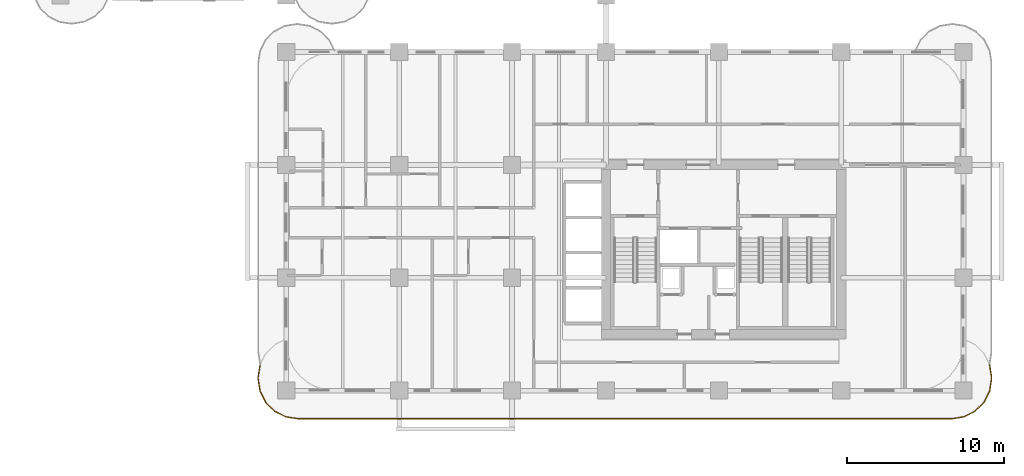
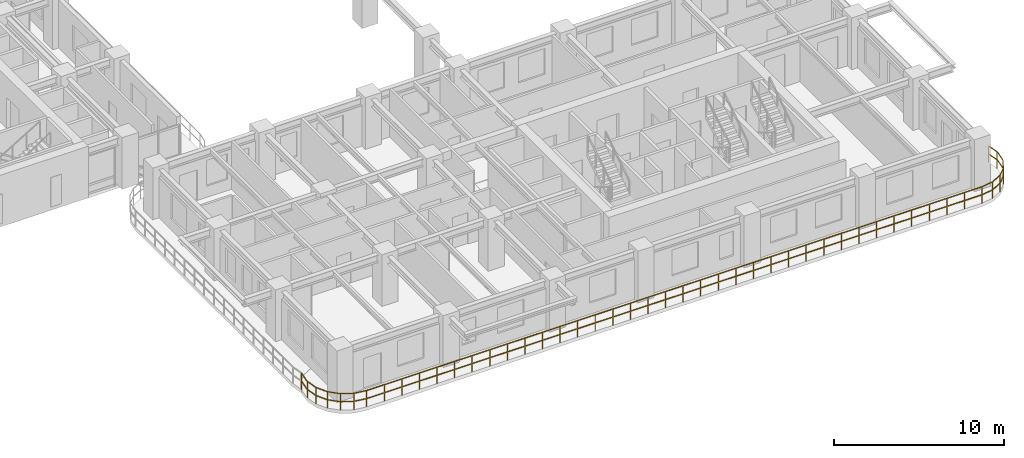
# One storey, part 14 of 19: 1 railing.
"""IFC4 building model written with IfcOpenShell, lengths in metres."""

from ifc_helpers import new_model, si_unit, derived_unit, direction, frame, origin, origin_2d, place, context, subcontext, project, spatial, rectangle, extrude, material, type_object, element, save


model = new_model("IFC4")

# Units and contexts
model_context = context("Model", 3, precision=1e-05, world=origin(), true_north=direction((0.0, 1.0)))
body_context = subcontext(model_context, "Body", "Model", "MODEL_VIEW")
ifc_project = project(units=[si_unit("LENGTHUNIT", "METRE"), si_unit("AREAUNIT", "SQUARE_METRE"), si_unit("VOLUMEUNIT", "CUBIC_METRE"), si_unit("PLANEANGLEUNIT", "RADIAN"), si_unit("MASSUNIT", "GRAM", prefix="KILO"), si_unit("THERMODYNAMICTEMPERATUREUNIT", "KELVIN"), si_unit("POWERUNIT", "WATT"), derived_unit("THERMALTRANSMITTANCEUNIT", [(si_unit("POWERUNIT", "WATT"), 1), (si_unit("AREAUNIT", "SQUARE_METRE"), -1), (si_unit("THERMODYNAMICTEMPERATUREUNIT", "KELVIN"), -1)])], contexts=[model_context])

# Site, building, storey
site_placement = place(None, origin())
site = spatial("IfcSite", under=ifc_project, at=site_placement, CompositionType="ELEMENT")
building_placement = place(site_placement, origin())
building = spatial("IfcBuilding", under=site, at=building_placement, Name="Zahravan Archway Hotel and Residences", CompositionType="ELEMENT")
storey_placement = place(building_placement, frame((0.0, 0.0, 43.5)))
storey = spatial("IfcBuildingStorey", under=building, at=storey_placement, Name="L09", CompositionType="ELEMENT", Elevation=43.5)

# Railing
ifc_material = material(Name="Bronze & Laminated Glass Balustrade", Category="glass")
railing_type = type_object("IfcRailingType", Name="RL-BAL-1200", PredefinedType="BALUSTRADE", material=ifc_material)
railing_placement = place(storey_placement, frame((59.275146484375, 1.637939453125, 0.0)))
element("IfcRailing", 1, at=railing_placement, inside=storey, type_object=railing_type, Name="L09 Balustrade RL-SLB-BAL-L09-SA-1", PredefinedType="BALUSTRADE", context=body_context, shape_type="SweptSolid", body=[
    extrude(rectangle(XDim=0.048095703125, YDim=0.048095703125, at=origin_2d()), frame((0.0, 0.0, 1.17578125), z_axis=(0.156402639467, -0.987693380745, 0.0), x_axis=(0.987693380745, 0.156402639467, 0.0)), (0.0, 0.0, 1.0), 0.797607421875),
    extrude(rectangle(XDim=0.048095703125, YDim=0.048095703125, at=origin_2d()), frame((0.0, 0.0, 0.60009765625), z_axis=(0.156402639467, -0.987693380745, 0.0), x_axis=(0.987693380745, 0.156402639467, 0.0)), (0.0, 0.0, 1.0), 0.797607421875),
    extrude(rectangle(XDim=0.048095703125, YDim=0.048095703125, at=origin_2d()), frame((0.124755859375, -0.787841796875, 1.17578125), z_axis=(0.0, -1.0, 0.0), x_axis=(1.0, 0.0, 0.0)), (0.0, 0.0, 1.0), 0.10009765625),
    extrude(rectangle(XDim=0.048095703125, YDim=0.048095703125, at=origin_2d()), frame((0.124755859375, -0.787841796875, 0.60009765625), z_axis=(0.0, -1.0, 0.0), x_axis=(1.0, 0.0, 0.0)), (0.0, 0.0, 1.0), 0.10009765625),
    extrude(rectangle(XDim=0.048095703125, YDim=0.048095703125, at=origin_2d()), frame((0.124755859375, -0.887939453125, 1.17578125), z_axis=(-0.156355372278, -0.987700864412, 0.0), x_axis=(0.987700864412, -0.156355372278, 0.0)), (0.0, 0.0, 1.0), 0.7978515625),
    extrude(rectangle(XDim=0.048095703125, YDim=0.048095703125, at=origin_2d()), frame((0.124755859375, -0.887939453125, 0.60009765625), z_axis=(-0.156355372278, -0.987700864412, 0.0), x_axis=(0.987700864412, -0.156355372278, 0.0)), (0.0, 0.0, 1.0), 0.7978515625),
    extrude(rectangle(XDim=0.048095703125, YDim=0.048095703125, at=origin_2d()), frame((0.0, -1.676025390625, 1.17578125), z_axis=(-0.453934952053, -0.891034824967, 0.0), x_axis=(0.891034824967, -0.453934952053, 0.0)), (0.0, 0.0, 1.0), 0.797607421875),
    extrude(rectangle(XDim=0.048095703125, YDim=0.048095703125, at=origin_2d()), frame((0.0, -1.676025390625, 0.60009765625), z_axis=(-0.453934952053, -0.891034824967, 0.0), x_axis=(0.891034824967, -0.453934952053, 0.0)), (0.0, 0.0, 1.0), 0.797607421875),
    extrude(rectangle(XDim=0.048095703125, YDim=0.048095703125, at=origin_2d()), frame((-0.362060546875, -2.38671875, 1.17578125), z_axis=(-0.707106781187, -0.707106781187, 0.0), x_axis=(0.707106781187, -0.707106781187, 0.0)), (0.0, 0.0, 1.0), 0.7978515625),
    extrude(rectangle(XDim=0.048095703125, YDim=0.048095703125, at=origin_2d()), frame((-0.362060546875, -2.38671875, 0.60009765625), z_axis=(-0.707106781187, -0.707106781187, 0.0), x_axis=(0.707106781187, -0.707106781187, 0.0)), (0.0, 0.0, 1.0), 0.7978515625),
    extrude(rectangle(XDim=0.048095703125, YDim=0.048095703125, at=origin_2d()), frame((-0.92626953125, -2.950927734375, 1.17578125), z_axis=(-0.890974108706, -0.454054113091, 0.0), x_axis=(0.454054113091, -0.890974108706, 0.0)), (0.0, 0.0, 1.0), 0.7978515625),
    extrude(rectangle(XDim=0.048095703125, YDim=0.048095703125, at=origin_2d()), frame((-0.92626953125, -2.950927734375, 0.60009765625), z_axis=(-0.890974108706, -0.454054113091, 0.0), x_axis=(0.454054113091, -0.890974108706, 0.0)), (0.0, 0.0, 1.0), 0.7978515625),
    extrude(rectangle(XDim=0.048095703125, YDim=0.048095703125, at=origin_2d()), frame((-1.63720703125, -3.313232421875, 1.17578125), z_axis=(-0.987693380745, -0.156402639467, 0.0), x_axis=(0.156402639467, -0.987693380745, 0.0)), (0.0, 0.0, 1.0), 0.797607421875),
    extrude(rectangle(XDim=0.048095703125, YDim=0.048095703125, at=origin_2d()), frame((-1.63720703125, -3.313232421875, 0.60009765625), z_axis=(-0.987693380745, -0.156402639467, 0.0), x_axis=(0.156402639467, -0.987693380745, 0.0)), (0.0, 0.0, 1.0), 0.797607421875),
    extrude(rectangle(XDim=0.048095703125, YDim=0.048095703125, at=origin_2d()), frame((-2.425048828125, -3.43798828125, 1.17578125), z_axis=(-1.0, 0.0, 0.0), x_axis=(0.0, -1.0, 0.0)), (0.0, 0.0, 1.0), 41.7001953125),
    extrude(rectangle(XDim=0.048095703125, YDim=0.048095703125, at=origin_2d()), frame((-2.425048828125, -3.43798828125, 0.60009765625), z_axis=(-1.0, 0.0, 0.0), x_axis=(0.0, -1.0, 0.0)), (0.0, 0.0, 1.0), 41.7001953125),
    extrude(rectangle(XDim=0.048095703125, YDim=0.048095703125, at=origin_2d()), frame((-44.125244140625, -3.43798828125, 1.17578125), z_axis=(-0.987693380745, 0.156402639467, 0.0), x_axis=(-0.156402639467, -0.987693380745, 0.0)), (0.0, 0.0, 1.0), 0.797607421875),
    extrude(rectangle(XDim=0.048095703125, YDim=0.048095703125, at=origin_2d()), frame((-44.125244140625, -3.43798828125, 0.60009765625), z_axis=(-0.987693380745, 0.156402639467, 0.0), x_axis=(-0.156402639467, -0.987693380745, 0.0)), (0.0, 0.0, 1.0), 0.797607421875),
    extrude(rectangle(XDim=0.048095703125, YDim=0.048095703125, at=origin_2d()), frame((-44.9130859375, -3.313232421875, 1.17578125), z_axis=(-0.890974108706, 0.454054113091, 0.0), x_axis=(-0.454054113091, -0.890974108706, 0.0)), (0.0, 0.0, 1.0), 0.7978515625),
    extrude(rectangle(XDim=0.048095703125, YDim=0.048095703125, at=origin_2d()), frame((-44.9130859375, -3.313232421875, 0.60009765625), z_axis=(-0.890974108706, 0.454054113091, 0.0), x_axis=(-0.454054113091, -0.890974108706, 0.0)), (0.0, 0.0, 1.0), 0.7978515625),
    extrude(rectangle(XDim=0.048095703125, YDim=0.048095703125, at=origin_2d()), frame((-45.6240234375, -2.950927734375, 1.17578125), z_axis=(-0.707106781187, 0.707106781187, 0.0), x_axis=(-0.707106781187, -0.707106781187, 0.0)), (0.0, 0.0, 1.0), 0.7978515625),
    extrude(rectangle(XDim=0.048095703125, YDim=0.048095703125, at=origin_2d()), frame((-45.6240234375, -2.950927734375, 0.60009765625), z_axis=(-0.707106781187, 0.707106781187, 0.0), x_axis=(-0.707106781187, -0.707106781187, 0.0)), (0.0, 0.0, 1.0), 0.7978515625),
    extrude(rectangle(XDim=0.048095703125, YDim=0.048095703125, at=origin_2d()), frame((-46.188232421875, -2.38671875, 1.17578125), z_axis=(-0.453934952053, 0.891034824967, 0.0), x_axis=(-0.891034824967, -0.453934952053, 0.0)), (0.0, 0.0, 1.0), 0.797607421875),
    extrude(rectangle(XDim=0.048095703125, YDim=0.048095703125, at=origin_2d()), frame((-46.188232421875, -2.38671875, 0.60009765625), z_axis=(-0.453934952053, 0.891034824967, 0.0), x_axis=(-0.891034824967, -0.453934952053, 0.0)), (0.0, 0.0, 1.0), 0.797607421875),
    extrude(rectangle(XDim=0.048095703125, YDim=0.048095703125, at=origin_2d()), frame((-46.55029296875, -1.676025390625, 1.17578125), z_axis=(-0.156355372278, 0.987700864412, 0.0), x_axis=(-0.987700864412, -0.156355372278, 0.0)), (0.0, 0.0, 1.0), 0.7978515625),
    extrude(rectangle(XDim=0.048095703125, YDim=0.048095703125, at=origin_2d()), frame((-46.55029296875, -1.676025390625, 0.60009765625), z_axis=(-0.156355372278, 0.987700864412, 0.0), x_axis=(-0.987700864412, -0.156355372278, 0.0)), (0.0, 0.0, 1.0), 0.7978515625),
    extrude(rectangle(XDim=0.048095703125, YDim=0.048095703125, at=origin_2d()), frame((-46.675048828125, -0.887939453125, 1.17578125), z_axis=(0.0, 1.0, 0.0), x_axis=(-1.0, 0.0, 0.0)), (0.0, 0.0, 1.0), 0.10009765625),
    extrude(rectangle(XDim=0.048095703125, YDim=0.048095703125, at=origin_2d()), frame((-46.675048828125, -0.887939453125, 0.60009765625), z_axis=(0.0, 1.0, 0.0), x_axis=(-1.0, 0.0, 0.0)), (0.0, 0.0, 1.0), 0.10009765625),
    extrude(rectangle(XDim=0.048095703125, YDim=0.048095703125, at=origin_2d()), frame((-46.675048828125, -0.787841796875, 1.17578125), z_axis=(0.156402639467, 0.987693380745, 0.0), x_axis=(-0.987693380745, 0.156402639467, 0.0)), (0.0, 0.0, 1.0), 0.797607421875),
    extrude(rectangle(XDim=0.048095703125, YDim=0.048095703125, at=origin_2d()), frame((-46.675048828125, -0.787841796875, 0.60009765625), z_axis=(0.156402639467, 0.987693380745, 0.0), x_axis=(-0.987693380745, 0.156402639467, 0.0)), (0.0, 0.0, 1.0), 0.797607421875),
    extrude(rectangle(XDim=0.0419921875, YDim=0.0419921875, at=origin_2d()), origin(), (0.0, 0.0, 1.0), 1.15185546875),
    extrude(rectangle(XDim=0.0419921875, YDim=0.0419921875, at=origin_2d()), frame((0.124755859375, -0.787841796875, 0.0)), (0.0, 0.0, 1.0), 1.15185546875),
    extrude(rectangle(XDim=0.0419921875, YDim=0.0419921875, at=origin_2d()), frame((0.0, -1.676025390625, 0.0)), (0.0, 0.0, 1.0), 1.15185546875),
    extrude(rectangle(XDim=0.0419921875, YDim=0.0419921875, at=origin_2d()), frame((-0.362060546875, -2.38671875, 0.0)), (0.0, 0.0, 1.0), 1.15185546875),
    extrude(rectangle(XDim=0.0419921875, YDim=0.0419921875, at=origin_2d()), frame((-0.92626953125, -2.950927734375, 0.0)), (0.0, 0.0, 1.0), 1.15185546875),
    extrude(rectangle(XDim=0.0419921875, YDim=0.0419921875, at=origin_2d()), frame((-1.63720703125, -3.313232421875, 0.0)), (0.0, 0.0, 1.0), 1.15185546875),
    extrude(rectangle(XDim=0.0419921875, YDim=0.0419921875, at=origin_2d()), frame((-2.425048828125, -3.43798828125, 0.0)), (0.0, 0.0, 1.0), 1.15185546875),
    extrude(rectangle(XDim=0.0419921875, YDim=0.0419921875, at=origin_2d()), frame((-3.616455078125, -3.43798828125, 0.0)), (0.0, 0.0, 1.0), 1.15185546875),
    extrude(rectangle(XDim=0.0419921875, YDim=0.0419921875, at=origin_2d()), frame((-4.807861328125, -3.43798828125, 0.0)), (0.0, 0.0, 1.0), 1.15185546875),
    extrude(rectangle(XDim=0.0419921875, YDim=0.0419921875, at=origin_2d()), frame((-5.999267578125, -3.43798828125, 0.0)), (0.0, 0.0, 1.0), 1.15185546875),
    extrude(rectangle(XDim=0.0419921875, YDim=0.0419921875, at=origin_2d()), frame((-7.190673828125, -3.43798828125, 0.0)), (0.0, 0.0, 1.0), 1.15185546875),
    extrude(rectangle(XDim=0.0419921875, YDim=0.0419921875, at=origin_2d()), frame((-8.38232421875, -3.43798828125, 0.0)), (0.0, 0.0, 1.0), 1.15185546875),
    extrude(rectangle(XDim=0.0419921875, YDim=0.0419921875, at=origin_2d()), frame((-9.57373046875, -3.43798828125, 0.0)), (0.0, 0.0, 1.0), 1.15185546875),
    extrude(rectangle(XDim=0.0419921875, YDim=0.0419921875, at=origin_2d()), frame((-10.76513671875, -3.43798828125, 0.0)), (0.0, 0.0, 1.0), 1.15185546875),
    extrude(rectangle(XDim=0.0419921875, YDim=0.0419921875, at=origin_2d()), frame((-11.95654296875, -3.43798828125, 0.0)), (0.0, 0.0, 1.0), 1.15185546875),
    extrude(rectangle(XDim=0.0419921875, YDim=0.0419921875, at=origin_2d()), frame((-13.14794921875, -3.43798828125, 0.0)), (0.0, 0.0, 1.0), 1.15185546875),
    extrude(rectangle(XDim=0.0419921875, YDim=0.0419921875, at=origin_2d()), frame((-14.33935546875, -3.43798828125, 0.0)), (0.0, 0.0, 1.0), 1.15185546875),
    extrude(rectangle(XDim=0.0419921875, YDim=0.0419921875, at=origin_2d()), frame((-15.53076171875, -3.43798828125, 0.0)), (0.0, 0.0, 1.0), 1.15185546875),
    extrude(rectangle(XDim=0.0419921875, YDim=0.0419921875, at=origin_2d()), frame((-16.72216796875, -3.43798828125, 0.0)), (0.0, 0.0, 1.0), 1.15185546875),
    extrude(rectangle(XDim=0.0419921875, YDim=0.0419921875, at=origin_2d()), frame((-17.91357421875, -3.43798828125, 0.0)), (0.0, 0.0, 1.0), 1.15185546875),
    extrude(rectangle(XDim=0.0419921875, YDim=0.0419921875, at=origin_2d()), frame((-19.105224609375, -3.43798828125, 0.0)), (0.0, 0.0, 1.0), 1.15185546875),
    extrude(rectangle(XDim=0.0419921875, YDim=0.0419921875, at=origin_2d()), frame((-20.296630859375, -3.43798828125, 0.0)), (0.0, 0.0, 1.0), 1.15185546875),
    extrude(rectangle(XDim=0.0419921875, YDim=0.0419921875, at=origin_2d()), frame((-21.488037109375, -3.43798828125, 0.0)), (0.0, 0.0, 1.0), 1.15185546875),
    extrude(rectangle(XDim=0.0419921875, YDim=0.0419921875, at=origin_2d()), frame((-22.679443359375, -3.43798828125, 0.0)), (0.0, 0.0, 1.0), 1.15185546875),
    extrude(rectangle(XDim=0.0419921875, YDim=0.0419921875, at=origin_2d()), frame((-23.870849609375, -3.43798828125, 0.0)), (0.0, 0.0, 1.0), 1.15185546875),
    extrude(rectangle(XDim=0.0419921875, YDim=0.0419921875, at=origin_2d()), frame((-25.062255859375, -3.43798828125, 0.0)), (0.0, 0.0, 1.0), 1.15185546875),
    extrude(rectangle(XDim=0.0419921875, YDim=0.0419921875, at=origin_2d()), frame((-26.253662109375, -3.43798828125, 0.0)), (0.0, 0.0, 1.0), 1.15185546875),
    extrude(rectangle(XDim=0.0419921875, YDim=0.0419921875, at=origin_2d()), frame((-27.445068359375, -3.43798828125, 0.0)), (0.0, 0.0, 1.0), 1.15185546875),
    extrude(rectangle(XDim=0.0419921875, YDim=0.0419921875, at=origin_2d()), frame((-28.63671875, -3.43798828125, 0.0)), (0.0, 0.0, 1.0), 1.15185546875),
    extrude(rectangle(XDim=0.0419921875, YDim=0.0419921875, at=origin_2d()), frame((-29.828125, -3.43798828125, 0.0)), (0.0, 0.0, 1.0), 1.15185546875),
    extrude(rectangle(XDim=0.0419921875, YDim=0.0419921875, at=origin_2d()), frame((-31.01953125, -3.43798828125, 0.0)), (0.0, 0.0, 1.0), 1.15185546875),
    extrude(rectangle(XDim=0.0419921875, YDim=0.0419921875, at=origin_2d()), frame((-32.2109375, -3.43798828125, 0.0)), (0.0, 0.0, 1.0), 1.15185546875),
    extrude(rectangle(XDim=0.0419921875, YDim=0.0419921875, at=origin_2d()), frame((-33.40234375, -3.43798828125, 0.0)), (0.0, 0.0, 1.0), 1.15185546875),
    extrude(rectangle(XDim=0.0419921875, YDim=0.0419921875, at=origin_2d()), frame((-34.59375, -3.43798828125, 0.0)), (0.0, 0.0, 1.0), 1.15185546875),
    extrude(rectangle(XDim=0.0419921875, YDim=0.0419921875, at=origin_2d()), frame((-35.78515625, -3.43798828125, 0.0)), (0.0, 0.0, 1.0), 1.15185546875),
    extrude(rectangle(XDim=0.0419921875, YDim=0.0419921875, at=origin_2d()), frame((-36.9765625, -3.43798828125, 0.0)), (0.0, 0.0, 1.0), 1.15185546875),
    extrude(rectangle(XDim=0.0419921875, YDim=0.0419921875, at=origin_2d()), frame((-38.16796875, -3.43798828125, 0.0)), (0.0, 0.0, 1.0), 1.15185546875),
    extrude(rectangle(XDim=0.0419921875, YDim=0.0419921875, at=origin_2d()), frame((-39.359619140625, -3.43798828125, 0.0)), (0.0, 0.0, 1.0), 1.15185546875),
    extrude(rectangle(XDim=0.0419921875, YDim=0.0419921875, at=origin_2d()), frame((-40.551025390625, -3.43798828125, 0.0)), (0.0, 0.0, 1.0), 1.15185546875),
    extrude(rectangle(XDim=0.0419921875, YDim=0.0419921875, at=origin_2d()), frame((-41.742431640625, -3.43798828125, 0.0)), (0.0, 0.0, 1.0), 1.15185546875),
    extrude(rectangle(XDim=0.0419921875, YDim=0.0419921875, at=origin_2d()), frame((-42.933837890625, -3.43798828125, 0.0)), (0.0, 0.0, 1.0), 1.15185546875),
    extrude(rectangle(XDim=0.0419921875, YDim=0.0419921875, at=origin_2d()), frame((-44.125244140625, -3.43798828125, 0.0)), (0.0, 0.0, 1.0), 1.15185546875),
    extrude(rectangle(XDim=0.0419921875, YDim=0.0419921875, at=origin_2d()), frame((-44.9130859375, -3.313232421875, 0.0)), (0.0, 0.0, 1.0), 1.15185546875),
    extrude(rectangle(XDim=0.0419921875, YDim=0.0419921875, at=origin_2d()), frame((-45.6240234375, -2.950927734375, 0.0)), (0.0, 0.0, 1.0), 1.15185546875),
    extrude(rectangle(XDim=0.0419921875, YDim=0.0419921875, at=origin_2d()), frame((-46.188232421875, -2.38671875, 0.0)), (0.0, 0.0, 1.0), 1.15185546875),
    extrude(rectangle(XDim=0.0419921875, YDim=0.0419921875, at=origin_2d()), frame((-46.55029296875, -1.676025390625, 0.0)), (0.0, 0.0, 1.0), 1.15185546875),
    extrude(rectangle(XDim=0.0419921875, YDim=0.0419921875, at=origin_2d()), frame((-46.675048828125, -0.887939453125, 0.0)), (0.0, 0.0, 1.0), 1.15185546875),
    extrude(rectangle(XDim=0.0419921875, YDim=0.0419921875, at=origin_2d()), frame((-46.55029296875, 0.0, 0.0)), (0.0, 0.0, 1.0), 1.15185546875),
])

save(model, "model.ifc")
